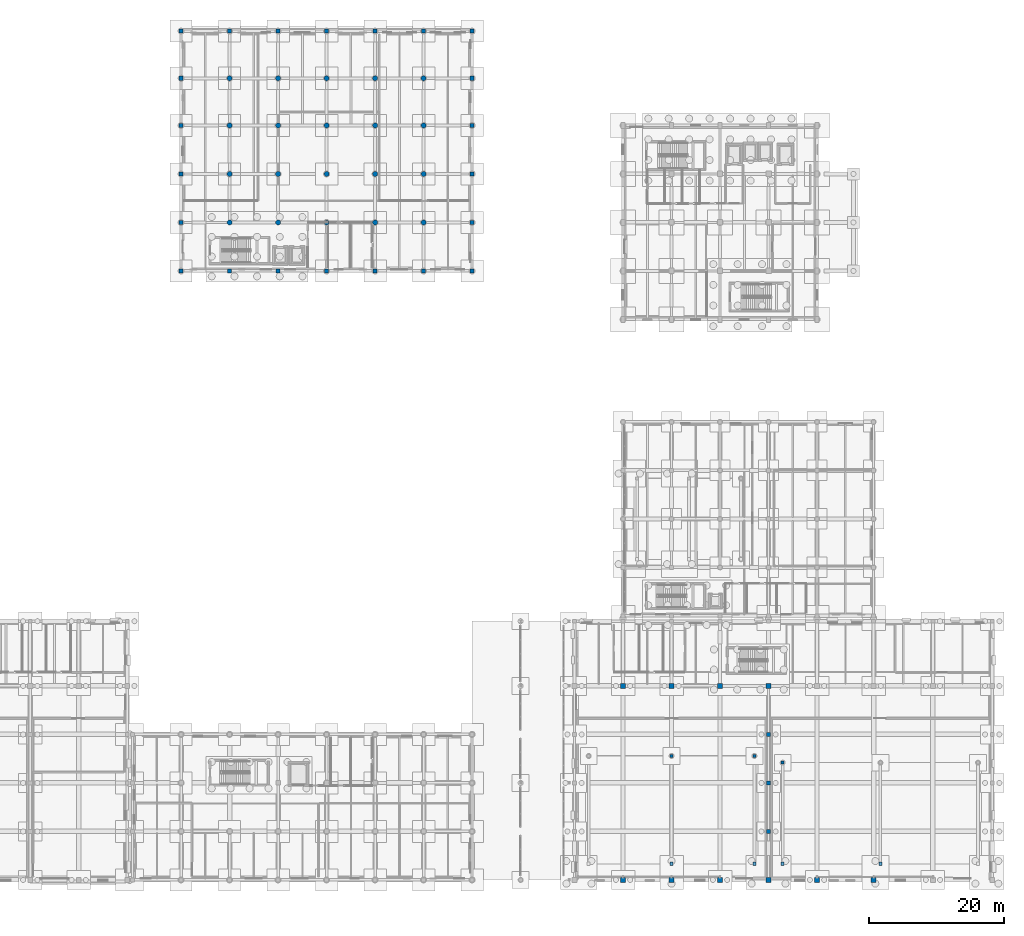
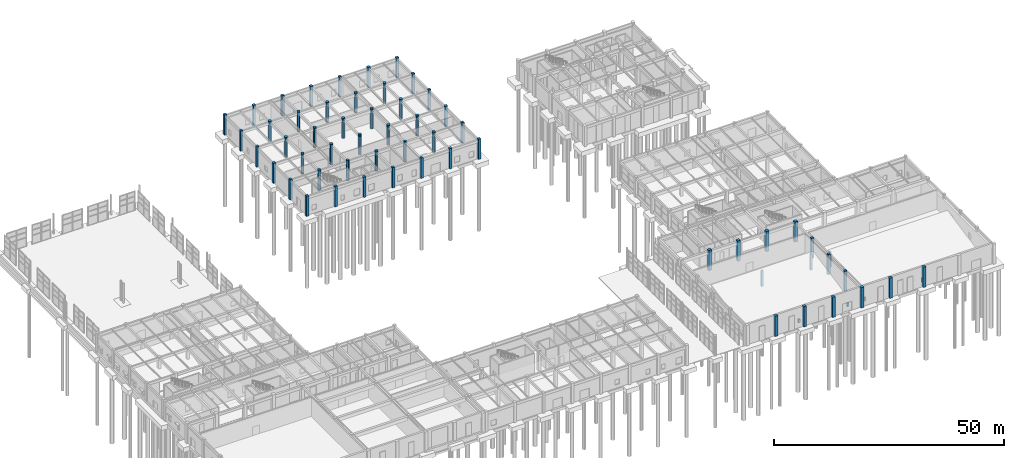
# One storey, part 13 of 91: 62 columns.
"""IFC4 building model written with IfcOpenShell, lengths in metres."""

from ifc_helpers import new_model, si_unit, direction, frame, origin, origin_2d, place, context, subcontext, project, spatial, rectangle, circle, extrude, material, material_profile, profile_set, type_object, element, save


model = new_model("IFC4")

# Units and contexts
model_context = context("Model", 3, precision=1e-05, world=origin(), true_north=direction((0.0, 1.0)))
body_context = subcontext(model_context, "Body", "Model", "MODEL_VIEW")
ifc_project = project(units=[si_unit("LENGTHUNIT", "METRE"), si_unit("AREAUNIT", "SQUARE_METRE"), si_unit("VOLUMEUNIT", "CUBIC_METRE"), si_unit("PLANEANGLEUNIT", "RADIAN"), si_unit("MASSUNIT", "GRAM", prefix="KILO")], contexts=[model_context])

# Site, building, storey
site_placement = place(None, origin())
site = spatial("IfcSite", under=ifc_project, at=site_placement, CompositionType="ELEMENT")
building_placement = place(site_placement, origin())
building = spatial("IfcBuilding", under=site, at=building_placement, Name="Bramveld Media Centre", CompositionType="ELEMENT")
storey_placement = place(building_placement, origin())
storey = spatial("IfcBuildingStorey", under=building, at=storey_placement, Name="L00", CompositionType="ELEMENT", Elevation=0.0)

# Columns
ifc_material_1 = material(Name="Concrete C40/50", Category="concrete")
ifc_material_profile_1 = material_profile(ifc_material_1, rectangle(XDim=0.6201171875, YDim=0.6201171875, at=origin_2d()), Name="RC 620x620")
ifc_profile_set_1 = profile_set([ifc_material_profile_1], Name="Concrete C40/50")
column_type_1 = type_object("IfcColumnType", Name="COL-EXT-RC-620x620", PredefinedType="COLUMN", material=ifc_profile_set_1)
for number, where, z_axis, x_axis, name in (
    (1, (65.60009765625, 90.39990234375, 0.0), (0.0, 0.0, 1.0), (1.0, 0.0, 0.0), "V6 L00 column RC 620x620"),
    (2, (65.60009765625, 97.60009765625, 0.0), (0.0, 0.0, 1.0), (1.0, 0.0, 0.0), "V6 L00 column RC 620x620"),
    (3, (65.60009765625, 104.800048828125, 0.0), (0.0, 0.0, 1.0), (1.0, 0.0, 0.0), "V6 L00 column RC 620x620"),
    (4, (65.60009765625, 112.0, 0.0), (0.0, 0.0, 1.0), (1.0, 0.0, 0.0), "V6 L00 column RC 620x620"),
    (5, (65.60009765625, 119.0, 0.0), (0.0, 0.0, 1.0), (1.0, 0.0, 0.0), "V6 L00 column RC 620x620"),
    (6, (65.60009765625, 126.0, 0.0), (0.0, 0.0, 1.0), (1.0, 0.0, 0.0), "V6 L00 column RC 620x620"),
    (7, (72.800048828125, 90.39990234375, 0.0), (0.0, 0.0, 1.0), (1.0, 0.0, 0.0), "V6 L00 column RC 620x620"),
    (8, (72.800048828125, 126.0, 0.0), (0.0, 0.0, 1.0), (1.0, 0.0, 0.0), "V6 L00 column RC 620x620"),
    (9, (80.0, 90.39990234375, 0.0), (0.0, 0.0, 1.0), (1.0, 0.0, 0.0), "V6 L00 column RC 620x620"),
    (10, (80.0, 126.0, 0.0), (0.0, 0.0, 1.0), (1.0, 0.0, 0.0), "V6 L00 column RC 620x620"),
    (11, (87.199951171875, 90.39990234375, 0.0), (0.0, 0.0, 1.0), (1.0, 0.0, 0.0), "V6 L00 column RC 620x620"),
    (12, (87.199951171875, 126.0, 0.0), (0.0, 0.0, 1.0), (1.0, 0.0, 0.0), "V6 L00 column RC 620x620"),
    (13, (94.39990234375, 90.39990234375, 0.0), (0.0, 0.0, 1.0), (1.0, 0.0, 0.0), "V6 L00 column RC 620x620"),
    (14, (94.39990234375, 126.0, 0.0), (0.0, 0.0, 1.0), (1.0, 0.0, 0.0), "V6 L00 column RC 620x620"),
    (15, (101.60009765625, 90.39990234375, 0.0), (0.0, 0.0, 1.0), (1.0, 0.0, 0.0), "V6 L00 column RC 620x620"),
    (16, (101.60009765625, 126.0, 0.0), (0.0, 0.0, 1.0), (1.0, 0.0, 0.0), "V6 L00 column RC 620x620"),
    (17, (108.800048828125, 90.39990234375, 0.0), (0.0, 0.0, 1.0), (1.0, 0.0, 0.0), "V6 L00 column RC 620x620"),
    (18, (108.800048828125, 97.60009765625, 0.0), (0.0, 0.0, 1.0), (1.0, 0.0, 0.0), "V6 L00 column RC 620x620"),
    (19, (108.800048828125, 104.800048828125, 0.0), (0.0, 0.0, 1.0), (1.0, 0.0, 0.0), "V6 L00 column RC 620x620"),
    (20, (108.800048828125, 112.0, 0.0), (0.0, 0.0, 1.0), (1.0, 0.0, 0.0), "V6 L00 column RC 620x620"),
    (21, (108.800048828125, 119.0, 0.0), (0.0, 0.0, 1.0), (1.0, 0.0, 0.0), "V6 L00 column RC 620x620"),
    (22, (108.800048828125, 126.0, 0.0), (0.0, 0.0, 1.0), (1.0, 0.0, 0.0), "V6 L00 column RC 620x620"),
):
    element("IfcColumn", number, at=place(storey_placement, frame(where, z_axis=z_axis, x_axis=x_axis)), inside=storey, type_object=column_type_1, Name=name, PredefinedType="COLUMN", context=body_context, shape_type="SweptSolid", body=[
        extrude(rectangle(XDim=0.6201171875, YDim=0.6201171875, at=origin_2d()), origin(), (0.0, 0.0, 1.0), 5.39990234375),
    ])
ifc_material_2 = material(Name="Concrete C40/50", Category="concrete")
ifc_material_profile_2 = material_profile(ifc_material_2, rectangle(XDim=0.719970703125, YDim=0.719970703125, at=origin_2d()), Name="RC 720x720")
ifc_profile_set_2 = profile_set([ifc_material_profile_2], Name="Concrete C40/50")
column_type_2 = type_object("IfcColumnType", Name="COL-EXT-RC-720x720", PredefinedType="COLUMN", material=ifc_profile_set_2)
for number, where, z_axis, x_axis, name in (
    (23, (131.199951171875, 0.0, 0.0), (0.0, 0.0, 1.0), (1.0, 0.0, 0.0), "V1 L00 column RC 720x720"),
    (24, (138.39990234375, 0.0, 0.0), (0.0, 0.0, 1.0), (1.0, 0.0, 0.0), "V1 L00 column RC 720x720"),
    (25, (145.60009765625, 0.0, 0.0), (0.0, 0.0, 1.0), (1.0, 0.0, 0.0), "V1 L00 column RC 720x720"),
    (26, (152.800048828125, 0.0, 0.0), (0.0, 0.0, 1.0), (1.0, 0.0, 0.0), "V1 L00 column RC 720x720"),
    (27, (160.0, 0.0, 0.0), (0.0, 0.0, 1.0), (1.0, 0.0, 0.0), "V1 L00 column RC 720x720"),
    (28, (168.39990234375, 0.0, 0.0), (0.0, 0.0, 1.0), (1.0, 0.0, 0.0), "V1 L00 column RC 720x720"),
):
    element("IfcColumn", number, at=place(storey_placement, frame(where, z_axis=z_axis, x_axis=x_axis)), inside=storey, type_object=column_type_2, Name=name, PredefinedType="COLUMN", context=body_context, shape_type="SweptSolid", body=[
        extrude(rectangle(XDim=0.719970703125, YDim=0.719970703125, at=origin_2d()), origin(), (0.0, 0.0, 1.0), 5.39990234375),
    ])
ifc_material_3 = material(Name="Concrete C40/50", Category="concrete")
ifc_material_profile_3 = material_profile(ifc_material_3, rectangle(XDim=0.449951171875, YDim=0.449951171875, at=origin_2d()), Name="RC 450x450")
ifc_profile_set_3 = profile_set([ifc_material_profile_3], Name="Concrete C40/50")
column_type_3 = type_object("IfcColumnType", Name="COL-INT-RC-450x450", PredefinedType="COLUMN", material=ifc_profile_set_3)
column_1_placement = place(storey_placement, frame((138.39990234375, 2.39990234375, -0.550048828125), z_axis=(0.0, 0.0, 1.0), x_axis=(1.0, 0.0, 0.0)))
element("IfcColumn", 29, at=column_1_placement, inside=storey, type_object=column_type_3, Name="Cinema 1 Raked Seating Slab lower raker pedestal 2", PredefinedType="COLUMN", context=body_context, shape_type="SweptSolid", body=[
    extrude(rectangle(XDim=0.449951171875, YDim=0.449951171875, at=origin_2d()), origin(), (0.0, 0.0, 1.0), 0.925048828125),
])
column_2_placement = place(storey_placement, frame((138.39990234375, 18.39990234375, -0.550048828125), z_axis=(0.0, 0.0, 1.0), x_axis=(1.0, 0.0, 0.0)))
element("IfcColumn", 30, at=column_2_placement, inside=storey, type_object=column_type_3, Name="Cinema 1 Raked Seating Slab upper raker column 2", PredefinedType="COLUMN", context=body_context, shape_type="SweptSolid", body=[
    extrude(rectangle(XDim=0.449951171875, YDim=0.449951171875, at=origin_2d()), origin(), (0.0, 0.0, 1.0), 4.195068359375),
])
column_3_placement = place(storey_placement, frame((150.699951171875, 2.39990234375, -0.550048828125), z_axis=(0.0, 0.0, 1.0), x_axis=(1.0, 0.0, 0.0)))
element("IfcColumn", 31, at=column_3_placement, inside=storey, type_object=column_type_3, Name="Cinema 1 Raked Seating Slab lower raker pedestal 3", PredefinedType="COLUMN", context=body_context, shape_type="SweptSolid", body=[
    extrude(rectangle(XDim=0.449951171875, YDim=0.449951171875, at=origin_2d()), origin(), (0.0, 0.0, 1.0), 0.925048828125),
])
column_4_placement = place(storey_placement, frame((150.699951171875, 18.39990234375, -0.550048828125), z_axis=(0.0, 0.0, 1.0), x_axis=(1.0, 0.0, 0.0)))
element("IfcColumn", 32, at=column_4_placement, inside=storey, type_object=column_type_3, Name="Cinema 1 Raked Seating Slab upper raker column 3", PredefinedType="COLUMN", context=body_context, shape_type="SweptSolid", body=[
    extrude(rectangle(XDim=0.449951171875, YDim=0.449951171875, at=origin_2d()), origin(), (0.0, 0.0, 1.0), 4.195068359375),
])
column_5_placement = place(storey_placement, frame((154.89990234375, 2.39990234375, -0.550048828125), z_axis=(0.0, 0.0, 1.0), x_axis=(1.0, 0.0, 0.0)))
element("IfcColumn", 33, at=column_5_placement, inside=storey, type_object=column_type_3, Name="Cinema 2 Raked Seating Slab lower raker pedestal 1", PredefinedType="COLUMN", context=body_context, shape_type="SweptSolid", body=[
    extrude(rectangle(XDim=0.449951171875, YDim=0.449951171875, at=origin_2d()), origin(), (0.0, 0.0, 1.0), 0.945068359375),
])
column_6_placement = place(storey_placement, frame((154.89990234375, 17.39990234375, -0.550048828125), z_axis=(0.0, 0.0, 1.0), x_axis=(1.0, 0.0, 0.0)))
element("IfcColumn", 34, at=column_6_placement, inside=storey, type_object=column_type_3, Name="Cinema 2 Raked Seating Slab upper raker column 1", PredefinedType="COLUMN", context=body_context, shape_type="SweptSolid", body=[
    extrude(rectangle(XDim=0.449951171875, YDim=0.449951171875, at=origin_2d()), origin(), (0.0, 0.0, 1.0), 4.01513671875),
])
column_7_placement = place(storey_placement, frame((169.39990234375, 2.39990234375, -0.550048828125), z_axis=(0.0, 0.0, 1.0), x_axis=(1.0, 0.0, 0.0)))
element("IfcColumn", 35, at=column_7_placement, inside=storey, type_object=column_type_3, Name="Cinema 2 Raked Seating Slab lower raker pedestal 2", PredefinedType="COLUMN", context=body_context, shape_type="SweptSolid", body=[
    extrude(rectangle(XDim=0.449951171875, YDim=0.449951171875, at=origin_2d()), origin(), (0.0, 0.0, 1.0), 0.945068359375),
])
ifc_material_4 = material(Name="Concrete C40/50", Category="concrete")
ifc_material_profile_4 = material_profile(ifc_material_4, rectangle(XDim=0.60009765625, YDim=0.60009765625, at=origin_2d()), Name="RC 600x600")
ifc_profile_set_4 = profile_set([ifc_material_profile_4], Name="Concrete C40/50")
column_type_4 = type_object("IfcColumnType", Name="COL-INT-RC-600x600", PredefinedType="COLUMN", material=ifc_profile_set_4)
for number, where, z_axis, x_axis, name in (
    (36, (152.800048828125, 7.199951171875, 0.0), (0.0, 0.0, 1.0), (1.0, 0.0, 0.0), "V1 L00 column RC 600x600"),
    (37, (152.800048828125, 14.39990234375, 0.0), (0.0, 0.0, 1.0), (1.0, 0.0, 0.0), "V1 L00 column RC 600x600"),
    (38, (152.800048828125, 21.60009765625, 0.0), (0.0, 0.0, 1.0), (1.0, 0.0, 0.0), "V1 L00 column RC 600x600"),
):
    element("IfcColumn", number, at=place(storey_placement, frame(where, z_axis=z_axis, x_axis=x_axis)), inside=storey, type_object=column_type_4, Name=name, PredefinedType="COLUMN", context=body_context, shape_type="SweptSolid", body=[
        extrude(rectangle(XDim=0.60009765625, YDim=0.60009765625, at=origin_2d()), origin(), (0.0, 0.0, 1.0), 5.39990234375),
    ])
ifc_material_5 = material(Name="Concrete C40/50", Category="concrete")
ifc_material_profile_5 = material_profile(ifc_material_5, rectangle(XDim=0.75, YDim=0.75, at=origin_2d()), Name="RC 750x750")
ifc_profile_set_5 = profile_set([ifc_material_profile_5], Name="Concrete C40/50")
column_type_5 = type_object("IfcColumnType", Name="COL-INT-RC-750x750", PredefinedType="COLUMN", material=ifc_profile_set_5)
for number, where, z_axis, x_axis, name in (
    (39, (131.199951171875, 28.800048828125, 0.0), (0.0, 0.0, 1.0), (1.0, 0.0, 0.0), "V1 L00 column RC 750x750"),
    (40, (138.39990234375, 28.800048828125, 0.0), (0.0, 0.0, 1.0), (1.0, 0.0, 0.0), "V1 L00 column RC 750x750"),
    (41, (145.60009765625, 28.800048828125, 0.0), (0.0, 0.0, 1.0), (1.0, 0.0, 0.0), "V1 L00 column RC 750x750"),
    (42, (152.800048828125, 28.800048828125, 0.0), (0.0, 0.0, 1.0), (1.0, 0.0, 0.0), "V1 L00 column RC 750x750"),
):
    element("IfcColumn", number, at=place(storey_placement, frame(where, z_axis=z_axis, x_axis=x_axis)), inside=storey, type_object=column_type_5, Name=name, PredefinedType="COLUMN", context=body_context, shape_type="SweptSolid", body=[
        extrude(rectangle(XDim=0.75, YDim=0.75, at=origin_2d()), origin(), (0.0, 0.0, 1.0), 5.39990234375),
    ])
ifc_material_6 = material(Name="Concrete C40/50", Category="concrete")
ifc_material_profile_6 = material_profile(ifc_material_6, circle(Radius=0.375, at=origin_2d()), Name="RC D750")
ifc_profile_set_6 = profile_set([ifc_material_profile_6], Name="Concrete C40/50")
column_type_6 = type_object("IfcColumnType", Name="COL-INT-RC-D750", PredefinedType="COLUMN", material=ifc_profile_set_6)
for number, where, z_axis, x_axis, name in (
    (43, (72.800048828125, 97.60009765625, 0.0), (0.0, 0.0, 1.0), (1.0, 0.0, 0.0), "V6 L00 column RC D750"),
    (44, (72.800048828125, 104.800048828125, 0.0), (0.0, 0.0, 1.0), (1.0, 0.0, 0.0), "V6 L00 column RC D750"),
    (45, (72.800048828125, 112.0, 0.0), (0.0, 0.0, 1.0), (1.0, 0.0, 0.0), "V6 L00 column RC D750"),
    (46, (72.800048828125, 119.0, 0.0), (0.0, 0.0, 1.0), (1.0, 0.0, 0.0), "V6 L00 column RC D750"),
    (47, (80.0, 97.60009765625, 0.0), (0.0, 0.0, 1.0), (1.0, 0.0, 0.0), "V6 L00 column RC D750"),
    (48, (80.0, 104.800048828125, 0.0), (0.0, 0.0, 1.0), (1.0, 0.0, 0.0), "V6 L00 column RC D750"),
    (49, (80.0, 112.0, 0.0), (0.0, 0.0, 1.0), (1.0, 0.0, 0.0), "V6 L00 column RC D750"),
    (50, (80.0, 119.0, 0.0), (0.0, 0.0, 1.0), (1.0, 0.0, 0.0), "V6 L00 column RC D750"),
    (51, (87.199951171875, 97.60009765625, 0.0), (0.0, 0.0, 1.0), (1.0, 0.0, 0.0), "V6 L00 column RC D750"),
    (52, (87.199951171875, 104.800048828125, 0.0), (0.0, 0.0, 1.0), (1.0, 0.0, 0.0), "V6 L00 column RC D750"),
    (53, (87.199951171875, 112.0, 0.0), (0.0, 0.0, 1.0), (1.0, 0.0, 0.0), "V6 L00 column RC D750"),
    (54, (87.199951171875, 119.0, 0.0), (0.0, 0.0, 1.0), (1.0, 0.0, 0.0), "V6 L00 column RC D750"),
    (55, (94.39990234375, 97.60009765625, 0.0), (0.0, 0.0, 1.0), (1.0, 0.0, 0.0), "V6 L00 column RC D750"),
    (56, (94.39990234375, 104.800048828125, 0.0), (0.0, 0.0, 1.0), (1.0, 0.0, 0.0), "V6 L00 column RC D750"),
    (57, (94.39990234375, 112.0, 0.0), (0.0, 0.0, 1.0), (1.0, 0.0, 0.0), "V6 L00 column RC D750"),
    (58, (94.39990234375, 119.0, 0.0), (0.0, 0.0, 1.0), (1.0, 0.0, 0.0), "V6 L00 column RC D750"),
    (59, (101.60009765625, 97.60009765625, 0.0), (0.0, 0.0, 1.0), (1.0, 0.0, 0.0), "V6 L00 column RC D750"),
    (60, (101.60009765625, 104.800048828125, 0.0), (0.0, 0.0, 1.0), (1.0, 0.0, 0.0), "V6 L00 column RC D750"),
    (61, (101.60009765625, 112.0, 0.0), (0.0, 0.0, 1.0), (1.0, 0.0, 0.0), "V6 L00 column RC D750"),
    (62, (101.60009765625, 119.0, 0.0), (0.0, 0.0, 1.0), (1.0, 0.0, 0.0), "V6 L00 column RC D750"),
):
    element("IfcColumn", number, at=place(storey_placement, frame(where, z_axis=z_axis, x_axis=x_axis)), inside=storey, type_object=column_type_6, Name=name, PredefinedType="COLUMN", context=body_context, shape_type="SweptSolid", body=[
        extrude(circle(Radius=0.375, at=origin_2d()), origin(), (0.0, 0.0, 1.0), 5.39990234375),
    ])

save(model, "model.ifc")
